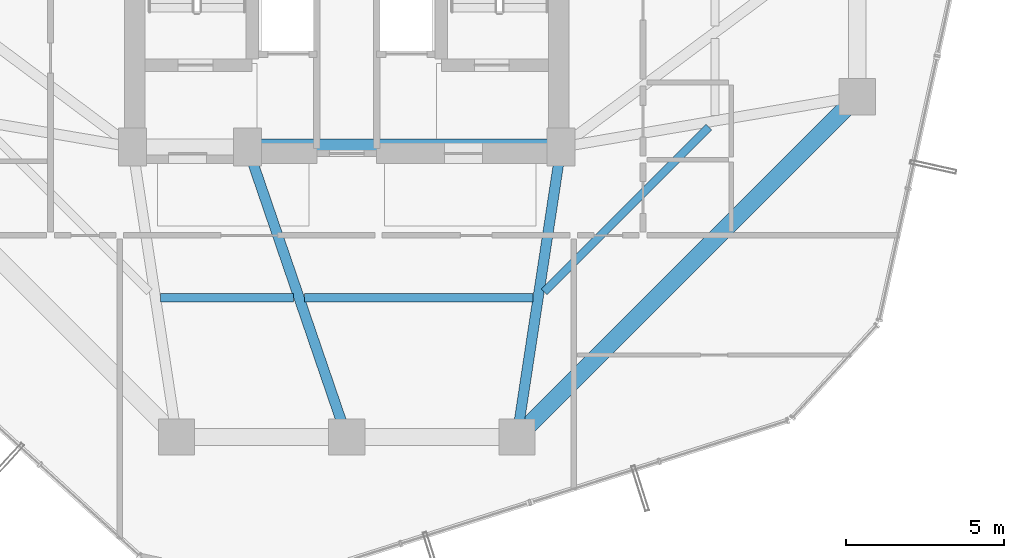
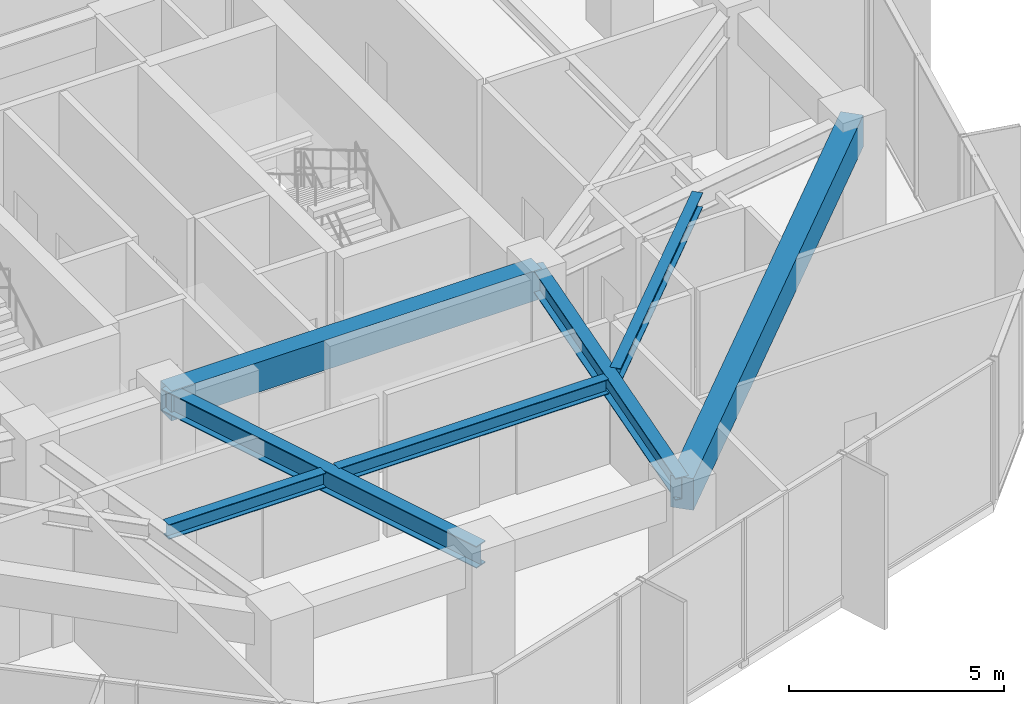
# One storey, part 9 of 28: 7 beams.
"""IFC4 building model written with IfcOpenShell, lengths in metres."""

from ifc_helpers import new_model, si_unit, direction, frame, origin, origin_2d, place, context, subcontext, project, spatial, rectangle, i_section, extrude, material, material_profile, profile_set, type_object, element, save


model = new_model("IFC4")

# Units and contexts
model_context = context("Model", 3, precision=1e-05, world=origin(), true_north=direction((0.0, 1.0)))
body_context = subcontext(model_context, "Body", "Model", "MODEL_VIEW")
ifc_project = project(units=[si_unit("LENGTHUNIT", "METRE"), si_unit("AREAUNIT", "SQUARE_METRE"), si_unit("VOLUMEUNIT", "CUBIC_METRE"), si_unit("PLANEANGLEUNIT", "RADIAN"), si_unit("MASSUNIT", "GRAM", prefix="KILO")], contexts=[model_context])

# Site, building, storey
site_placement = place(None, origin())
site = spatial("IfcSite", under=ifc_project, at=site_placement, CompositionType="ELEMENT")
building_placement = place(site_placement, origin())
building = spatial("IfcBuilding", under=site, at=building_placement, Name="Veraguas Prism Commons", CompositionType="ELEMENT")
storey_placement = place(building_placement, frame((0.0, 0.0, 85.14990234375)))
storey = spatial("IfcBuildingStorey", under=building, at=storey_placement, Name="L23", CompositionType="ELEMENT", Elevation=85.14990234375)

# Beams
ifc_material_1 = material(Name="Concrete C50/60", Category="concrete")
ifc_material_profile_1 = material_profile(ifc_material_1, rectangle(XDim=0.5, YDim=0.85009765625, at=origin_2d()), Name="RC500X850")
ifc_profile_set_1 = profile_set([ifc_material_profile_1], Name="Concrete C50/60")
beam_type_1 = type_object("IfcBeamType", Name="Core Coupling Beam RC 500x850", PredefinedType="BEAM", material=ifc_profile_set_1)
beam_1_placement = place(storey_placement, frame((20.85009765625, 17.0, 3.625), z_axis=(1.0, 0.0, 0.0), x_axis=(0.0, 1.0, 0.0)))
element("IfcBeam", 1, at=beam_1_placement, inside=storey, type_object=beam_type_1, Name="Core Coupling Beam L23-CRS2", PredefinedType="BEAM", context=body_context, shape_type="SweptSolid", body=[
    extrude(rectangle(XDim=0.5, YDim=0.85009765625, at=origin_2d()), origin(), (0.0, 0.0, 1.0), 9.949951171875),
])
ifc_material_2 = material(Name="Steel ASTM A992 Grade 50", Category="steel")
ifc_material_profile_2 = material_profile(ifc_material_2, i_section(OverallWidth=0.260986328125, OverallDepth=0.419921875, WebThickness=0.01171875, FlangeThickness=0.019287109375, at=origin_2d()), Name="W410X114")
ifc_profile_set_2 = profile_set([ifc_material_profile_2], Name="Steel ASTM A992 Grade 50")
beam_type_2 = type_object("IfcBeamType", Name="Lower Floor Joist W410x114", PredefinedType="JOIST", material=ifc_profile_set_2)
beam_2_placement = place(storey_placement, frame((18.091796875, 12.216064453125, 3.840087890625), z_axis=(1.0, 0.0, 0.0), x_axis=(0.0, 1.0, 0.0)))
element("IfcBeam", 2, at=beam_2_placement, inside=storey, type_object=beam_type_2, Name="Composite Floor Joist L23-JS10", PredefinedType="JOIST", context=body_context, shape_type="SweptSolid", body=[
    extrude(i_section(OverallWidth=0.260986328125, OverallDepth=0.419921875, WebThickness=0.01171875, FlangeThickness=0.019287109375, at=origin_2d()), origin(), (0.0, 0.0, 1.0), 4.22509765625),
])
beam_3_placement = place(storey_placement, frame((22.6591796875, 12.216064453125, 3.840087890625), z_axis=(1.0, 0.0, 0.0), x_axis=(0.0, 1.0, 0.0)))
element("IfcBeam", 3, at=beam_3_placement, inside=storey, type_object=beam_type_2, Name="Composite Floor Joist L23-JS11", PredefinedType="JOIST", context=body_context, shape_type="SweptSolid", body=[
    extrude(i_section(OverallWidth=0.260986328125, OverallDepth=0.419921875, WebThickness=0.01171875, FlangeThickness=0.019287109375, at=origin_2d()), origin(), (0.0, 0.0, 1.0), 7.2490234375),
])
beam_4_placement = place(storey_placement, frame((30.265380859375, 12.4091796875, 3.840087890625), z_axis=(0.707090260193, 0.707123301794, 0.0), x_axis=(-0.707123301794, 0.707090260193, 0.0)))
element("IfcBeam", 4, at=beam_4_placement, inside=storey, type_object=beam_type_2, Name="Composite Floor Joist L23-JS12", PredefinedType="JOIST", context=body_context, shape_type="SweptSolid", body=[
    extrude(i_section(OverallWidth=0.260986328125, OverallDepth=0.419921875, WebThickness=0.01171875, FlangeThickness=0.019287109375, at=origin_2d()), origin(), (0.0, 0.0, 1.0), 7.388916015625),
])
ifc_material_profile_3 = material_profile(ifc_material_1, rectangle(XDim=0.550048828125, YDim=0.89990234375, at=origin_2d()), Name="RC550X900")
ifc_profile_set_3 = profile_set([ifc_material_profile_3], Name="Concrete C50/60")
beam_type_3 = type_object("IfcBeamType", Name="Perimeter Spandrel Lower RC 550x900", PredefinedType="SPANDREL", material=ifc_profile_set_3)
beam_5_placement = place(storey_placement, frame((29.39990234375, 7.800048828125, 3.60009765625), z_axis=(0.707106781187, 0.707106781187, 0.0), x_axis=(-0.707106781187, 0.707106781187, 0.0)))
element("IfcBeam", 5, at=beam_5_placement, inside=storey, type_object=beam_type_3, Name="Perimeter Spandrel Beam L23-SP12", PredefinedType="SPANDREL", context=body_context, shape_type="SweptSolid", body=[
    extrude(rectangle(XDim=0.550048828125, YDim=0.89990234375, at=origin_2d()), origin(), (0.0, 0.0, 1.0), 15.273681640625),
])
ifc_material_profile_4 = material_profile(ifc_material_2, i_section(OverallWidth=0.327880859375, OverallDepth=0.6220703125, WebThickness=0.015380859375, FlangeThickness=0.0244140625, at=origin_2d()), Name="W610X195")
ifc_profile_set_4 = profile_set([ifc_material_profile_4], Name="Steel ASTM A992 Grade 50")
beam_type_4 = type_object("IfcBeamType", Name="Zone 2 Radial Girder W610x195", PredefinedType="BEAM", material=ifc_profile_set_4)
beam_6_placement = place(storey_placement, frame((24.0, 7.800048828125, 3.739013671875), z_axis=(-0.323922482989, 0.946083624747, 0.0), x_axis=(-0.946083624747, -0.323922482989, 0.0)))
element("IfcBeam", 6, at=beam_6_placement, inside=storey, type_object=beam_type_4, Name="Radial Floor Girder L23-RD11", PredefinedType="BEAM", context=body_context, shape_type="SweptSolid", body=[
    extrude(i_section(OverallWidth=0.327880859375, OverallDepth=0.6220703125, WebThickness=0.015380859375, FlangeThickness=0.0244140625, at=origin_2d()), origin(), (0.0, 0.0, 1.0), 9.724365234375),
])
beam_7_placement = place(storey_placement, frame((29.39990234375, 7.800048828125, 3.739013671875), z_axis=(0.150458162136, 0.98861637729, 0.0), x_axis=(-0.98861637729, 0.150458162136, 0.0)))
element("IfcBeam", 7, at=beam_7_placement, inside=storey, type_object=beam_type_4, Name="Radial Floor Girder L23-RD12", PredefinedType="BEAM", context=body_context, shape_type="SweptSolid", body=[
    extrude(i_section(OverallWidth=0.327880859375, OverallDepth=0.6220703125, WebThickness=0.015380859375, FlangeThickness=0.0244140625, at=origin_2d()), origin(), (0.0, 0.0, 1.0), 9.305908203125),
])

save(model, "model.ifc")
